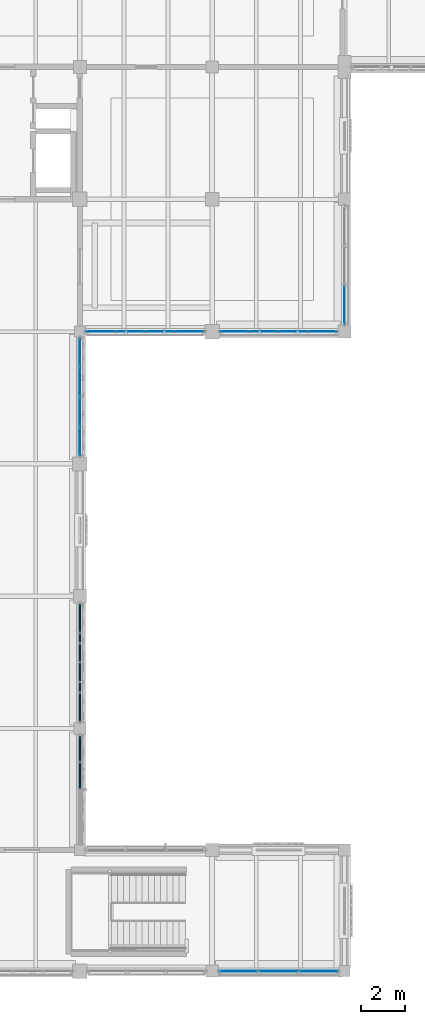
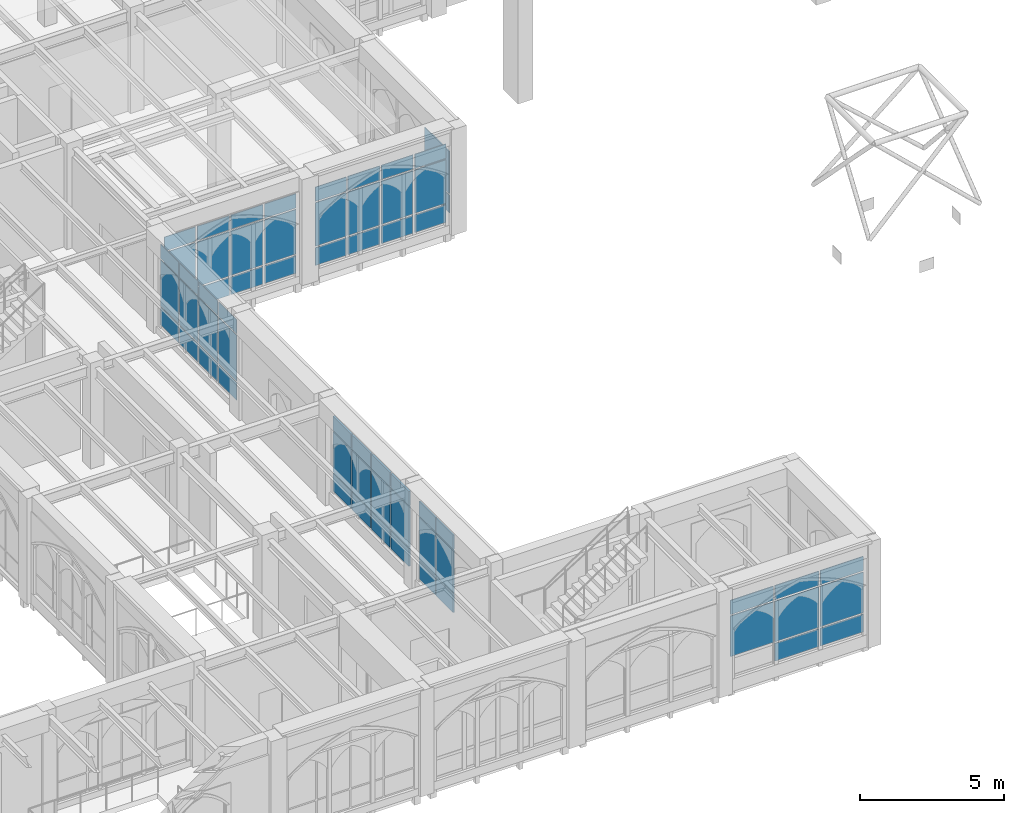
# One storey, part 70 of 127: 64 plates, 7 elements without a shape of their own.
"""IFC4 building model written with IfcOpenShell, lengths in metres."""

import ifcopenshell
import ifcopenshell.guid

model = None  # the IFC model being written
_history = None  # IfcOwnerHistory: only IFC2X3 demands one
_inside = {}  # id of a spatial element -> (the spatial element, [elements in it])
_under = {}  # id of a project, library or spatial element -> (it, [spatial elements below it])
_declared = {}  # id of a project -> (the project, [libraries it declares])
_typed = {}  # id of a type object -> (the type object, [elements of that type])
_made_of = {}  # id of a material, layer set ... -> (it, [elements and type objects made of it])


def new_model(schema):
    """Start an empty IFC model of exactly this schema.

    Asked for "IFC4X3", IfcOpenShell would pick the latest addendum, in which some entities
    have other attributes; the version numbers below select the first issue.
    IFC2X3 requires an IfcOwnerHistory on every rooted entity: one is made here for all.
    """
    global model, _history
    if schema == "IFC4X3":
        model = ifcopenshell.file(schema_version=(4, 3, 0, 0))
    else:
        model = ifcopenshell.file(schema=schema)
    _inside.clear()
    _under.clear()
    _declared.clear()
    _typed.clear()
    _made_of.clear()
    _history = None
    if model.schema == "IFC2X3":
        org = make("IfcOrganization", Name="unknown")
        user = make(
            "IfcPersonAndOrganization",
            ThePerson=make("IfcPerson", FamilyName="unknown"),
            TheOrganization=org,
        )
        app = make(
            "IfcApplication",
            ApplicationDeveloper=org,
            Version="unknown",
            ApplicationFullName="unknown",
            ApplicationIdentifier="unknown",
        )
        _history = make(
            "IfcOwnerHistory",
            OwningUser=user,
            OwningApplication=app,
            ChangeAction="ADDED",
            CreationDate=0,
        )
    return model


def make(cls, **values):
    """One entity of the class cls with the attributes given. An attribute that is None is left unset."""
    return model.create_entity(
        cls, **{name: value for name, value in values.items() if value is not None}
    )


def rooted(cls, **values):
    """An entity with a GlobalId (a new one), such as an element, a storey or a relation."""
    return make(cls, GlobalId=ifcopenshell.guid.new(), OwnerHistory=_history, **values)


def si_unit(unit_type, name, prefix=None):
    """IfcSIUnit, for example si_unit("LENGTHUNIT", "METRE", prefix="MILLI")."""
    return make("IfcSIUnit", UnitType=unit_type, Prefix=prefix, Name=name)


def assignment(units):
    """IfcUnitAssignment: the units of a project."""
    return None if units is None else make("IfcUnitAssignment", Units=units)


def point(xyz):
    """IfcCartesianPoint."""
    return None if xyz is None else make("IfcCartesianPoint", Coordinates=xyz)


def direction(xyz):
    """IfcDirection."""
    return None if xyz is None else make("IfcDirection", DirectionRatios=xyz)


def frame(location, z_axis=None, x_axis=None):
    """IfcAxis2Placement3D, a coordinate frame: its origin and axes. An axis left out is left unset."""
    return make(
        "IfcAxis2Placement3D",
        Location=point(location),
        Axis=direction(z_axis),
        RefDirection=direction(x_axis),
    )


def frame_2d(location, x_axis=None):
    """IfcAxis2Placement2D, a coordinate frame in the plane: its origin and x axis."""
    return make(
        "IfcAxis2Placement2D", Location=point(location), RefDirection=direction(x_axis)
    )


def origin():
    """The frame at (0, 0, 0) with its axes left unset."""
    return frame((0.0, 0.0, 0.0))


def origin_2d():
    """The frame at (0, 0) in the plane with its x axis left unset."""
    return frame_2d((0.0, 0.0))


def place(relative_to, where):
    """IfcLocalPlacement: puts the frame where relative to a parent placement (None: the world)."""
    return make(
        "IfcLocalPlacement", PlacementRelTo=relative_to, RelativePlacement=where
    )


def context(
    kind, dimensions, precision=None, world=None, true_north=None, identifier=None
):
    """IfcGeometricRepresentationContext, for example the 3D "Model" context."""
    return make(
        "IfcGeometricRepresentationContext",
        ContextIdentifier=identifier,
        ContextType=kind,
        CoordinateSpaceDimension=dimensions,
        Precision=precision,
        WorldCoordinateSystem=world,
        TrueNorth=true_north,
    )


def subcontext(parent, identifier, kind, view, scale=None):
    """IfcGeometricRepresentationSubContext, for example "Body" below "Model"."""
    return make(
        "IfcGeometricRepresentationSubContext",
        ContextIdentifier=identifier,
        ContextType=kind,
        ParentContext=parent,
        TargetScale=scale,
        TargetView=view,
    )


def project(units=None, contexts=None):
    """IfcProject with its units and contexts."""
    return rooted(
        "IfcProject",
        Name="project",
        RepresentationContexts=contexts,
        UnitsInContext=assignment(units),
    )


def spatial(cls, under=None, at=None, **own):
    """A site, building, storey or space (cls), placed at a placement, below another one or the project."""
    s = rooted(cls, ObjectPlacement=at, **own)
    if under is not None:
        _under.setdefault(under.id(), (under, []))[1].append(s)
    return s


def profile(cls, at=None, kind="AREA", **sizes):
    """A parametric profile (cls). Its sizes go by their IFC names, for example OverallWidth=200.0."""
    return make(cls, ProfileType=kind, Position=at, **sizes)


def rectangle(**sizes):
    """IfcRectangleProfileDef."""
    return profile("IfcRectangleProfileDef", **sizes)


def extrude(swept, where, along, depth):
    """IfcExtrudedAreaSolid: the profile swept, set in the frame where, extruded along a direction by depth."""
    return make(
        "IfcExtrudedAreaSolid",
        SweptArea=swept,
        Position=where,
        ExtrudedDirection=direction(along),
        Depth=depth,
    )


def shape(context_of_items, identifier, shape_type, items):
    """IfcShapeRepresentation: the items that make up one representation, for example the "Body"."""
    return make(
        "IfcShapeRepresentation",
        ContextOfItems=context_of_items,
        RepresentationIdentifier=identifier,
        RepresentationType=shape_type,
        Items=items,
    )


def material(Name=None, Category=None):
    """IfcMaterial."""
    return make("IfcMaterial", Name=Name, Category=Category)


def layer(
    of_material, thickness, ventilated=None, Name=None, Category=None, Priority=None
):
    """IfcMaterialLayer: one layer of a wall or slab, of a material (None: an air gap)."""
    return make(
        "IfcMaterialLayer",
        Material=of_material,
        LayerThickness=thickness,
        IsVentilated=ventilated,
        Name=Name,
        Category=Category,
        Priority=Priority,
    )


def layer_set(layers, Name=None):
    """IfcMaterialLayerSet."""
    return make("IfcMaterialLayerSet", MaterialLayers=layers, LayerSetName=Name)


def made_of(thing, what):
    """Note that an element or type object is made of a material, layer set ...; save() writes the relation."""
    if what is not None:
        _made_of.setdefault(what.id(), (what, []))[1].append(thing)
    return thing


def type_object(cls, material=None, **own):
    """A type object (cls), such as IfcWallType, which elements share."""
    return made_of(rooted(cls, **own), material)


def element(
    cls,
    number,
    at=None,
    inside=None,
    cuts=None,
    type_object=None,
    material=None,
    context=None,
    identifier="Body",
    shape_type=None,
    held_by="IfcProductDefinitionShape",
    body=None,
    shapes=None,
    **own,
):
    """One element of the class cls, such as IfcWall. Its Tag is "e" and its number.

    at: its placement. inside: the storey or other place that contains it. cuts: it is an
    opening in that element (IfcRelVoidsElement). A single representation is given by context,
    identifier, shape_type and body (its items); several are given by shapes. held_by: the class
    of the entity that holds the representations. save() writes the other relations.
    """
    e = rooted(cls, Tag="e%d" % number, ObjectPlacement=at, **own)
    if body is not None:
        shapes = [shape(context, identifier, shape_type, body)]
    if shapes is not None:
        e.Representation = make(held_by, Representations=shapes)
    if inside is not None:
        _inside.setdefault(inside.id(), (inside, []))[1].append(e)
    if cuts is not None:
        rooted(
            "IfcRelVoidsElement", RelatingBuildingElement=cuts, RelatedOpeningElement=e
        )
    if type_object is not None:
        _typed.setdefault(type_object.id(), (type_object, []))[1].append(e)
    return made_of(e, material)


def aggregate(whole, parts):
    """IfcRelAggregates: a whole, such as a stair, and the parts it consists of."""
    return rooted("IfcRelAggregates", RelatingObject=whole, RelatedObjects=parts)


def save(model, path):
    """Write the relations noted so far, then the file.

    IfcRelAggregates (storeys below a building ...), IfcRelContainedInSpatialStructure (elements
    in a storey), IfcRelDefinesByType, IfcRelAssociatesMaterial and IfcRelDeclares: one each for
    every whole, place, type object, material and project.
    """
    for whole, parts in _under.values():
        aggregate(whole, parts)
    for where, things in _inside.values():
        rooted(
            "IfcRelContainedInSpatialStructure",
            RelatedElements=things,
            RelatingStructure=where,
        )
    for kind, things in _typed.values():
        rooted("IfcRelDefinesByType", RelatedObjects=things, RelatingType=kind)
    for what, things in _made_of.values():
        rooted("IfcRelAssociatesMaterial", RelatedObjects=things, RelatingMaterial=what)
    for by, libraries in _declared.values():
        rooted("IfcRelDeclares", RelatingContext=by, RelatedDefinitions=libraries)
    model.write(path)


model = new_model("IFC4")

# Units and contexts
model_context = context("Model", 3, precision=1e-05, world=origin(), true_north=direction((0.0, 1.0)))
body_context = subcontext(model_context, "Body", "Model", "MODEL_VIEW")
ifc_project = project(units=[si_unit("LENGTHUNIT", "METRE"), si_unit("AREAUNIT", "SQUARE_METRE"), si_unit("VOLUMEUNIT", "CUBIC_METRE"), si_unit("PLANEANGLEUNIT", "RADIAN"), si_unit("MASSUNIT", "GRAM", prefix="KILO")], contexts=[model_context])

# Site, building, storey
site_placement = place(None, origin())
site = spatial("IfcSite", under=ifc_project, at=site_placement, CompositionType="ELEMENT")
building_placement = place(site_placement, origin())
building = spatial("IfcBuilding", under=site, at=building_placement, Name="Cumevento Cable Car Station", CompositionType="ELEMENT")
storey_placement = place(building_placement, frame((0.0, 0.0, 4.5)))
storey = spatial("IfcBuildingStorey", under=building, at=storey_placement, Name="L02", CompositionType="ELEMENT", Elevation=4.5)

# Curtain wall, plates
ifc_material_1 = material(Name="Anodised Bronze Aluminium AW-6063-T6", Category="aluminium")
ifc_layer_1 = layer(ifc_material_1, 0.219970703125)
ifc_layer_set_1 = layer_set([ifc_layer_1], Name="Anodised Bronze Aluminium AW-6063-T6")
curtain_wall_type_1 = type_object("IfcCurtainWallType", Name="Lancet Curtain Wall CW-11 1450", PredefinedType="NOTDEFINED", material=ifc_layer_set_1)
curtain_wall_1_placement = place(storey_placement, origin())
curtain_wall_1 = element("IfcCurtainWall", 1, at=curtain_wall_1_placement, inside=storey, type_object=curtain_wall_type_1, Name="Lancet Curtain Wall CW-11 L02 #42", PredefinedType="NOTDEFINED")
ifc_material_2 = material(Name="Solar Control Laminated Double Glazing", Category="glass")
ifc_layer_2 = layer(ifc_material_2, 0.02197265625)
ifc_layer_set_2 = layer_set([ifc_layer_2], Name="Solar Control Laminated Double Glazing")
plate_type_1 = type_object("IfcPlateType", Name="Glazed Panel CWP-01 22", PredefinedType="CURTAIN_PANEL", material=ifc_layer_set_2)
plate_1_placement = place(storey_placement, frame((70.0, 32.0556640625, 0.324951171875), z_axis=(0.0, 0.0, 1.0), x_axis=(0.0, -1.0, 0.0)))
plate_1 = element("IfcPlate", 2, at=plate_1_placement, type_object=plate_type_1, Name="CW-11 panel 1.1", PredefinedType="CURTAIN_PANEL", context=body_context, shape_type="SweptSolid", body=[
    extrude(rectangle(XDim=1.2587890625, YDim=0.02197265625, at=origin_2d()), origin(), (0.0, 0.0, 1.0), 0.75244140625),
])
plate_2_placement = place(storey_placement, frame((70.0, 32.0556640625, 1.142578125), z_axis=(0.0, 0.0, 1.0), x_axis=(0.0, -1.0, 0.0)))
plate_2 = element("IfcPlate", 3, at=plate_2_placement, type_object=plate_type_1, Name="CW-11 panel 1.2", PredefinedType="CURTAIN_PANEL", context=body_context, shape_type="SweptSolid", body=[
    extrude(rectangle(XDim=1.2587890625, YDim=0.02197265625, at=origin_2d()), origin(), (0.0, 0.0, 1.0), 1.946044921875),
])
plate_3_placement = place(storey_placement, frame((70.0, 32.0556640625, 3.153564453125), z_axis=(0.0, 0.0, 1.0), x_axis=(0.0, -1.0, 0.0)))
plate_3 = element("IfcPlate", 4, at=plate_3_placement, type_object=plate_type_1, Name="CW-11 panel 1.3", PredefinedType="CURTAIN_PANEL", context=body_context, shape_type="SweptSolid", body=[
    extrude(rectangle(XDim=1.2587890625, YDim=0.02197265625, at=origin_2d()), origin(), (0.0, 0.0, 1.0), 0.6025390625),
])
plate_4_placement = place(storey_placement, frame((70.0, 30.715576171875, 0.324951171875), z_axis=(0.0, 0.0, 1.0), x_axis=(0.0, -1.0, 0.0)))
plate_4 = element("IfcPlate", 5, at=plate_4_placement, type_object=plate_type_1, Name="CW-11 panel 2.1", PredefinedType="CURTAIN_PANEL", context=body_context, shape_type="SweptSolid", body=[
    extrude(rectangle(XDim=1.291259765625, YDim=0.02197265625, at=origin_2d()), origin(), (0.0, 0.0, 1.0), 0.75244140625),
])
plate_5_placement = place(storey_placement, frame((70.0, 30.715576171875, 1.142578125), z_axis=(0.0, 0.0, 1.0), x_axis=(0.0, -1.0, 0.0)))
plate_5 = element("IfcPlate", 6, at=plate_5_placement, type_object=plate_type_1, Name="CW-11 panel 2.2", PredefinedType="CURTAIN_PANEL", context=body_context, shape_type="SweptSolid", body=[
    extrude(rectangle(XDim=1.291259765625, YDim=0.02197265625, at=origin_2d()), origin(), (0.0, 0.0, 1.0), 1.946044921875),
])
plate_6_placement = place(storey_placement, frame((70.0, 30.715576171875, 3.153564453125), z_axis=(0.0, 0.0, 1.0), x_axis=(0.0, -1.0, 0.0)))
plate_6 = element("IfcPlate", 7, at=plate_6_placement, type_object=plate_type_1, Name="CW-11 panel 2.3", PredefinedType="CURTAIN_PANEL", context=body_context, shape_type="SweptSolid", body=[
    extrude(rectangle(XDim=1.291259765625, YDim=0.02197265625, at=origin_2d()), origin(), (0.0, 0.0, 1.0), 0.6025390625),
])
plate_7_placement = place(storey_placement, frame((70.0, 29.359375, 0.324951171875), z_axis=(0.0, 0.0, 1.0), x_axis=(0.0, -1.0, 0.0)))
plate_7 = element("IfcPlate", 8, at=plate_7_placement, type_object=plate_type_1, Name="CW-11 panel 3.1", PredefinedType="CURTAIN_PANEL", context=body_context, shape_type="SweptSolid", body=[
    extrude(rectangle(XDim=1.291259765625, YDim=0.02197265625, at=origin_2d()), origin(), (0.0, 0.0, 1.0), 0.75244140625),
])
plate_8_placement = place(storey_placement, frame((70.0, 29.359375, 1.142578125), z_axis=(0.0, 0.0, 1.0), x_axis=(0.0, -1.0, 0.0)))
plate_8 = element("IfcPlate", 9, at=plate_8_placement, type_object=plate_type_1, Name="CW-11 panel 3.2", PredefinedType="CURTAIN_PANEL", context=body_context, shape_type="SweptSolid", body=[
    extrude(rectangle(XDim=1.291259765625, YDim=0.02197265625, at=origin_2d()), origin(), (0.0, 0.0, 1.0), 1.946044921875),
])
plate_9_placement = place(storey_placement, frame((70.0, 29.359375, 3.153564453125), z_axis=(0.0, 0.0, 1.0), x_axis=(0.0, -1.0, 0.0)))
plate_9 = element("IfcPlate", 10, at=plate_9_placement, type_object=plate_type_1, Name="CW-11 panel 3.3", PredefinedType="CURTAIN_PANEL", context=body_context, shape_type="SweptSolid", body=[
    extrude(rectangle(XDim=1.291259765625, YDim=0.02197265625, at=origin_2d()), origin(), (0.0, 0.0, 1.0), 0.6025390625),
])
plate_10_placement = place(storey_placement, frame((70.0, 28.019287109375, 0.324951171875), z_axis=(0.0, 0.0, 1.0), x_axis=(0.0, -1.0, 0.0)))
plate_10 = element("IfcPlate", 11, at=plate_10_placement, type_object=plate_type_1, Name="CW-11 panel 4.1", PredefinedType="CURTAIN_PANEL", context=body_context, shape_type="SweptSolid", body=[
    extrude(rectangle(XDim=1.2587890625, YDim=0.02197265625, at=origin_2d()), origin(), (0.0, 0.0, 1.0), 0.75244140625),
])
plate_11_placement = place(storey_placement, frame((70.0, 28.019287109375, 1.142578125), z_axis=(0.0, 0.0, 1.0), x_axis=(0.0, -1.0, 0.0)))
plate_11 = element("IfcPlate", 12, at=plate_11_placement, type_object=plate_type_1, Name="CW-11 panel 4.2", PredefinedType="CURTAIN_PANEL", context=body_context, shape_type="SweptSolid", body=[
    extrude(rectangle(XDim=1.2587890625, YDim=0.02197265625, at=origin_2d()), origin(), (0.0, 0.0, 1.0), 1.946044921875),
])
plate_12_placement = place(storey_placement, frame((70.0, 28.019287109375, 3.153564453125), z_axis=(0.0, 0.0, 1.0), x_axis=(0.0, -1.0, 0.0)))
plate_12 = element("IfcPlate", 13, at=plate_12_placement, type_object=plate_type_1, Name="CW-11 panel 4.3", PredefinedType="CURTAIN_PANEL", context=body_context, shape_type="SweptSolid", body=[
    extrude(rectangle(XDim=1.2587890625, YDim=0.02197265625, at=origin_2d()), origin(), (0.0, 0.0, 1.0), 0.6025390625),
])
aggregate(curtain_wall_1, [plate_1, plate_2, plate_3, plate_4, plate_5, plate_6, plate_7, plate_8, plate_9, plate_10, plate_11, plate_12])

ifc_material_3 = material(Name="Anodised Bronze Aluminium AW-6063-T6", Category="aluminium")
ifc_layer_3 = layer(ifc_material_3, 0.22607421875)
ifc_layer_set_3 = layer_set([ifc_layer_3], Name="Anodised Bronze Aluminium AW-6063-T6")
curtain_wall_type_2 = type_object("IfcCurtainWallType", Name="Lancet Curtain Wall CW-12 1490", PredefinedType="NOTDEFINED", material=ifc_layer_set_3)
curtain_wall_2_placement = place(storey_placement, origin())
curtain_wall_2 = element("IfcCurtainWall", 14, at=curtain_wall_2_placement, inside=storey, type_object=curtain_wall_type_2, Name="Lancet Curtain Wall CW-12 L02 #43", PredefinedType="NOTDEFINED")
ifc_material_4 = material(Name="Solar Control Laminated Double Glazing", Category="glass")
ifc_layer_4 = layer(ifc_material_4, 0.02587890625)
ifc_layer_set_4 = layer_set([ifc_layer_4], Name="Solar Control Laminated Double Glazing")
plate_type_2 = type_object("IfcPlateType", Name="Glazed Panel CWP-02 26", PredefinedType="CURTAIN_PANEL", material=ifc_layer_set_4)
plate_13_placement = place(storey_placement, frame((74.980712890625, 33.0, 0.375), z_axis=(0.0, 0.0, 1.0), x_axis=(-1.0, 0.0, 0.0)))
plate_13 = element("IfcPlate", 15, at=plate_13_placement, type_object=plate_type_2, Name="CW-12 panel 1.1", PredefinedType="CURTAIN_PANEL", context=body_context, shape_type="SweptSolid", body=[
    extrude(rectangle(XDim=1.2587890625, YDim=0.02587890625, at=origin_2d()), origin(), (0.0, 0.0, 1.0), 0.75244140625),
])
plate_14_placement = place(storey_placement, frame((74.980712890625, 33.0, 1.1923828125), z_axis=(0.0, 0.0, 1.0), x_axis=(-1.0, 0.0, 0.0)))
plate_14 = element("IfcPlate", 16, at=plate_14_placement, type_object=plate_type_2, Name="CW-12 panel 1.2", PredefinedType="CURTAIN_PANEL", context=body_context, shape_type="SweptSolid", body=[
    extrude(rectangle(XDim=1.2587890625, YDim=0.02587890625, at=origin_2d()), origin(), (0.0, 0.0, 1.0), 1.89599609375),
])
plate_15_placement = place(storey_placement, frame((74.980712890625, 33.0, 3.153564453125), z_axis=(0.0, 0.0, 1.0), x_axis=(-1.0, 0.0, 0.0)))
plate_15 = element("IfcPlate", 17, at=plate_15_placement, type_object=plate_type_2, Name="CW-12 panel 1.3", PredefinedType="CURTAIN_PANEL", context=body_context, shape_type="SweptSolid", body=[
    extrude(rectangle(XDim=1.2587890625, YDim=0.02587890625, at=origin_2d()), origin(), (0.0, 0.0, 1.0), 0.6025390625),
])
plate_16_placement = place(storey_placement, frame((73.640625, 33.0, 0.375), z_axis=(0.0, 0.0, 1.0), x_axis=(-1.0, 0.0, 0.0)))
plate_16 = element("IfcPlate", 18, at=plate_16_placement, type_object=plate_type_2, Name="CW-12 panel 2.1", PredefinedType="CURTAIN_PANEL", context=body_context, shape_type="SweptSolid", body=[
    extrude(rectangle(XDim=1.291259765625, YDim=0.02587890625, at=origin_2d()), origin(), (0.0, 0.0, 1.0), 0.75244140625),
])
plate_17_placement = place(storey_placement, frame((73.640625, 33.0, 1.1923828125), z_axis=(0.0, 0.0, 1.0), x_axis=(-1.0, 0.0, 0.0)))
plate_17 = element("IfcPlate", 19, at=plate_17_placement, type_object=plate_type_2, Name="CW-12 panel 2.2", PredefinedType="CURTAIN_PANEL", context=body_context, shape_type="SweptSolid", body=[
    extrude(rectangle(XDim=1.291259765625, YDim=0.02587890625, at=origin_2d()), origin(), (0.0, 0.0, 1.0), 1.89599609375),
])
plate_18_placement = place(storey_placement, frame((73.640625, 33.0, 3.153564453125), z_axis=(0.0, 0.0, 1.0), x_axis=(-1.0, 0.0, 0.0)))
plate_18 = element("IfcPlate", 20, at=plate_18_placement, type_object=plate_type_2, Name="CW-12 panel 2.3", PredefinedType="CURTAIN_PANEL", context=body_context, shape_type="SweptSolid", body=[
    extrude(rectangle(XDim=1.291259765625, YDim=0.02587890625, at=origin_2d()), origin(), (0.0, 0.0, 1.0), 0.6025390625),
])
plate_19_placement = place(storey_placement, frame((72.284423828125, 33.0, 0.375), z_axis=(0.0, 0.0, 1.0), x_axis=(-1.0, 0.0, 0.0)))
plate_19 = element("IfcPlate", 21, at=plate_19_placement, type_object=plate_type_2, Name="CW-12 panel 3.1", PredefinedType="CURTAIN_PANEL", context=body_context, shape_type="SweptSolid", body=[
    extrude(rectangle(XDim=1.291259765625, YDim=0.02587890625, at=origin_2d()), origin(), (0.0, 0.0, 1.0), 0.75244140625),
])
plate_20_placement = place(storey_placement, frame((72.284423828125, 33.0, 1.1923828125), z_axis=(0.0, 0.0, 1.0), x_axis=(-1.0, 0.0, 0.0)))
plate_20 = element("IfcPlate", 22, at=plate_20_placement, type_object=plate_type_2, Name="CW-12 panel 3.2", PredefinedType="CURTAIN_PANEL", context=body_context, shape_type="SweptSolid", body=[
    extrude(rectangle(XDim=1.291259765625, YDim=0.02587890625, at=origin_2d()), origin(), (0.0, 0.0, 1.0), 1.89599609375),
])
plate_21_placement = place(storey_placement, frame((72.284423828125, 33.0, 3.153564453125), z_axis=(0.0, 0.0, 1.0), x_axis=(-1.0, 0.0, 0.0)))
plate_21 = element("IfcPlate", 23, at=plate_21_placement, type_object=plate_type_2, Name="CW-12 panel 3.3", PredefinedType="CURTAIN_PANEL", context=body_context, shape_type="SweptSolid", body=[
    extrude(rectangle(XDim=1.291259765625, YDim=0.02587890625, at=origin_2d()), origin(), (0.0, 0.0, 1.0), 0.6025390625),
])
plate_22_placement = place(storey_placement, frame((70.9443359375, 33.0, 0.375), z_axis=(0.0, 0.0, 1.0), x_axis=(-1.0, 0.0, 0.0)))
plate_22 = element("IfcPlate", 24, at=plate_22_placement, type_object=plate_type_2, Name="CW-12 panel 4.1", PredefinedType="CURTAIN_PANEL", context=body_context, shape_type="SweptSolid", body=[
    extrude(rectangle(XDim=1.2587890625, YDim=0.02587890625, at=origin_2d()), origin(), (0.0, 0.0, 1.0), 0.75244140625),
])
plate_23_placement = place(storey_placement, frame((70.9443359375, 33.0, 1.1923828125), z_axis=(0.0, 0.0, 1.0), x_axis=(-1.0, 0.0, 0.0)))
plate_23 = element("IfcPlate", 25, at=plate_23_placement, type_object=plate_type_2, Name="CW-12 panel 4.2", PredefinedType="CURTAIN_PANEL", context=body_context, shape_type="SweptSolid", body=[
    extrude(rectangle(XDim=1.2587890625, YDim=0.02587890625, at=origin_2d()), origin(), (0.0, 0.0, 1.0), 1.89599609375),
])
plate_24_placement = place(storey_placement, frame((70.9443359375, 33.0, 3.153564453125), z_axis=(0.0, 0.0, 1.0), x_axis=(-1.0, 0.0, 0.0)))
plate_24 = element("IfcPlate", 26, at=plate_24_placement, type_object=plate_type_2, Name="CW-12 panel 4.3", PredefinedType="CURTAIN_PANEL", context=body_context, shape_type="SweptSolid", body=[
    extrude(rectangle(XDim=1.2587890625, YDim=0.02587890625, at=origin_2d()), origin(), (0.0, 0.0, 1.0), 0.6025390625),
])
aggregate(curtain_wall_2, [plate_13, plate_14, plate_15, plate_16, plate_17, plate_18, plate_19, plate_20, plate_21, plate_22, plate_23, plate_24])

ifc_material_5 = material(Name="Anodised Bronze Aluminium AW-6063-T6", Category="aluminium")
ifc_layer_5 = layer(ifc_material_5, 0.23193359375)
ifc_layer_set_5 = layer_set([ifc_layer_5], Name="Anodised Bronze Aluminium AW-6063-T6")
curtain_wall_type_3 = type_object("IfcCurtainWallType", Name="Lancet Curtain Wall CW-13 1530", PredefinedType="NOTDEFINED", material=ifc_layer_set_5)
curtain_wall_3_placement = place(storey_placement, origin())
curtain_wall_3 = element("IfcCurtainWall", 27, at=curtain_wall_3_placement, inside=storey, type_object=curtain_wall_type_3, Name="Lancet Curtain Wall CW-13 L02 #44", PredefinedType="NOTDEFINED")
ifc_material_6 = material(Name="Solar Control Laminated Double Glazing", Category="glass")
ifc_layer_6 = layer(ifc_material_6, 0.030029296875)
ifc_layer_set_6 = layer_set([ifc_layer_6], Name="Solar Control Laminated Double Glazing")
plate_type_3 = type_object("IfcPlateType", Name="Glazed Panel CWP-03 30", PredefinedType="CURTAIN_PANEL", material=ifc_layer_set_6)
plate_25_placement = place(storey_placement, frame((81.011962890625, 33.0, 0.425048828125), z_axis=(0.0, 0.0, 1.0), x_axis=(-1.0, 0.0, 0.0)))
plate_25 = element("IfcPlate", 28, at=plate_25_placement, type_object=plate_type_3, Name="CW-13 panel 1.1", PredefinedType="CURTAIN_PANEL", context=body_context, shape_type="SweptSolid", body=[
    extrude(rectangle(XDim=1.246337890625, YDim=0.030029296875, at=origin_2d()), origin(), (0.0, 0.0, 1.0), 0.75244140625),
])
plate_26_placement = place(storey_placement, frame((81.011962890625, 33.0, 1.24267578125), z_axis=(0.0, 0.0, 1.0), x_axis=(-1.0, 0.0, 0.0)))
plate_26 = element("IfcPlate", 29, at=plate_26_placement, type_object=plate_type_3, Name="CW-13 panel 1.2", PredefinedType="CURTAIN_PANEL", context=body_context, shape_type="SweptSolid", body=[
    extrude(rectangle(XDim=1.246337890625, YDim=0.030029296875, at=origin_2d()), origin(), (0.0, 0.0, 1.0), 1.845947265625),
])
plate_27_placement = place(storey_placement, frame((81.011962890625, 33.0, 3.153564453125), z_axis=(0.0, 0.0, 1.0), x_axis=(-1.0, 0.0, 0.0)))
plate_27 = element("IfcPlate", 30, at=plate_27_placement, type_object=plate_type_3, Name="CW-13 panel 1.3", PredefinedType="CURTAIN_PANEL", context=body_context, shape_type="SweptSolid", body=[
    extrude(rectangle(XDim=1.246337890625, YDim=0.030029296875, at=origin_2d()), origin(), (0.0, 0.0, 1.0), 0.6025390625),
])
plate_28_placement = place(storey_placement, frame((79.684326171875, 33.0, 0.425048828125), z_axis=(0.0, 0.0, 1.0), x_axis=(-1.0, 0.0, 0.0)))
plate_28 = element("IfcPlate", 31, at=plate_28_placement, type_object=plate_type_3, Name="CW-13 panel 2.1", PredefinedType="CURTAIN_PANEL", context=body_context, shape_type="SweptSolid", body=[
    extrude(rectangle(XDim=1.27880859375, YDim=0.030029296875, at=origin_2d()), origin(), (0.0, 0.0, 1.0), 0.75244140625),
])
plate_29_placement = place(storey_placement, frame((79.684326171875, 33.0, 1.24267578125), z_axis=(0.0, 0.0, 1.0), x_axis=(-1.0, 0.0, 0.0)))
plate_29 = element("IfcPlate", 32, at=plate_29_placement, type_object=plate_type_3, Name="CW-13 panel 2.2", PredefinedType="CURTAIN_PANEL", context=body_context, shape_type="SweptSolid", body=[
    extrude(rectangle(XDim=1.27880859375, YDim=0.030029296875, at=origin_2d()), origin(), (0.0, 0.0, 1.0), 1.845947265625),
])
plate_30_placement = place(storey_placement, frame((79.684326171875, 33.0, 3.153564453125), z_axis=(0.0, 0.0, 1.0), x_axis=(-1.0, 0.0, 0.0)))
plate_30 = element("IfcPlate", 33, at=plate_30_placement, type_object=plate_type_3, Name="CW-13 panel 2.3", PredefinedType="CURTAIN_PANEL", context=body_context, shape_type="SweptSolid", body=[
    extrude(rectangle(XDim=1.27880859375, YDim=0.030029296875, at=origin_2d()), origin(), (0.0, 0.0, 1.0), 0.6025390625),
])
plate_31_placement = place(storey_placement, frame((78.340576171875, 33.0, 0.425048828125), z_axis=(0.0, 0.0, 1.0), x_axis=(-1.0, 0.0, 0.0)))
plate_31 = element("IfcPlate", 34, at=plate_31_placement, type_object=plate_type_3, Name="CW-13 panel 3.1", PredefinedType="CURTAIN_PANEL", context=body_context, shape_type="SweptSolid", body=[
    extrude(rectangle(XDim=1.27880859375, YDim=0.030029296875, at=origin_2d()), origin(), (0.0, 0.0, 1.0), 0.75244140625),
])
plate_32_placement = place(storey_placement, frame((78.340576171875, 33.0, 1.24267578125), z_axis=(0.0, 0.0, 1.0), x_axis=(-1.0, 0.0, 0.0)))
plate_32 = element("IfcPlate", 35, at=plate_32_placement, type_object=plate_type_3, Name="CW-13 panel 3.2", PredefinedType="CURTAIN_PANEL", context=body_context, shape_type="SweptSolid", body=[
    extrude(rectangle(XDim=1.27880859375, YDim=0.030029296875, at=origin_2d()), origin(), (0.0, 0.0, 1.0), 1.845947265625),
])
plate_33_placement = place(storey_placement, frame((78.340576171875, 33.0, 3.153564453125), z_axis=(0.0, 0.0, 1.0), x_axis=(-1.0, 0.0, 0.0)))
plate_33 = element("IfcPlate", 36, at=plate_33_placement, type_object=plate_type_3, Name="CW-13 panel 3.3", PredefinedType="CURTAIN_PANEL", context=body_context, shape_type="SweptSolid", body=[
    extrude(rectangle(XDim=1.27880859375, YDim=0.030029296875, at=origin_2d()), origin(), (0.0, 0.0, 1.0), 0.6025390625),
])
plate_34_placement = place(storey_placement, frame((77.01318359375, 33.0, 0.425048828125), z_axis=(0.0, 0.0, 1.0), x_axis=(-1.0, 0.0, 0.0)))
plate_34 = element("IfcPlate", 37, at=plate_34_placement, type_object=plate_type_3, Name="CW-13 panel 4.1", PredefinedType="CURTAIN_PANEL", context=body_context, shape_type="SweptSolid", body=[
    extrude(rectangle(XDim=1.246337890625, YDim=0.030029296875, at=origin_2d()), origin(), (0.0, 0.0, 1.0), 0.75244140625),
])
plate_35_placement = place(storey_placement, frame((77.01318359375, 33.0, 1.24267578125), z_axis=(0.0, 0.0, 1.0), x_axis=(-1.0, 0.0, 0.0)))
plate_35 = element("IfcPlate", 38, at=plate_35_placement, type_object=plate_type_3, Name="CW-13 panel 4.2", PredefinedType="CURTAIN_PANEL", context=body_context, shape_type="SweptSolid", body=[
    extrude(rectangle(XDim=1.246337890625, YDim=0.030029296875, at=origin_2d()), origin(), (0.0, 0.0, 1.0), 1.845947265625),
])
plate_36_placement = place(storey_placement, frame((77.01318359375, 33.0, 3.153564453125), z_axis=(0.0, 0.0, 1.0), x_axis=(-1.0, 0.0, 0.0)))
plate_36 = element("IfcPlate", 39, at=plate_36_placement, type_object=plate_type_3, Name="CW-13 panel 4.3", PredefinedType="CURTAIN_PANEL", context=body_context, shape_type="SweptSolid", body=[
    extrude(rectangle(XDim=1.246337890625, YDim=0.030029296875, at=origin_2d()), origin(), (0.0, 0.0, 1.0), 0.6025390625),
])
aggregate(curtain_wall_3, [plate_25, plate_26, plate_27, plate_28, plate_29, plate_30, plate_31, plate_32, plate_33, plate_34, plate_35, plate_36])

ifc_material_7 = material(Name="Anodised Bronze Aluminium AW-6063-T6", Category="aluminium")
ifc_layer_7 = layer(ifc_material_7, 0.25)
ifc_layer_set_7 = layer_set([ifc_layer_7], Name="Anodised Bronze Aluminium AW-6063-T6")
curtain_wall_type_4 = type_object("IfcCurtainWallType", Name="Lancet Curtain Wall CW-16 1650", PredefinedType="NOTDEFINED", material=ifc_layer_set_7)
curtain_wall_4_placement = place(storey_placement, origin())
curtain_wall_4 = element("IfcCurtainWall", 40, at=curtain_wall_4_placement, inside=storey, type_object=curtain_wall_type_4, Name="Lancet Curtain Wall CW-16 L02 #31", PredefinedType="NOTDEFINED")
ifc_material_8 = material(Name="Solar Control Laminated Double Glazing", Category="glass")
ifc_layer_8 = layer(ifc_material_8, 0.033935546875)
ifc_layer_set_8 = layer_set([ifc_layer_8], Name="Solar Control Laminated Double Glazing")
plate_type_4 = type_object("IfcPlateType", Name="Glazed Panel CWP-04 34", PredefinedType="CURTAIN_PANEL", material=ifc_layer_set_8)
plate_37_placement = place(storey_placement, frame((80.8212890625, 4.0, 0.5849609375), z_axis=(0.0, 0.0, 1.0), x_axis=(-1.0, 0.0, 0.0)))
plate_37 = element("IfcPlate", 41, at=plate_37_placement, type_object=plate_type_4, Name="CW-16 panel 1.1", PredefinedType="CURTAIN_PANEL", context=body_context, shape_type="SweptSolid", body=[
    extrude(rectangle(XDim=1.7275390625, YDim=0.033935546875, at=origin_2d()), origin(), (0.0, 0.0, 1.0), 0.75244140625),
])
plate_38_placement = place(storey_placement, frame((80.8212890625, 4.0, 1.40234375), z_axis=(0.0, 0.0, 1.0), x_axis=(-1.0, 0.0, 0.0)))
plate_38 = element("IfcPlate", 42, at=plate_38_placement, type_object=plate_type_4, Name="CW-16 panel 1.2", PredefinedType="CURTAIN_PANEL", context=body_context, shape_type="SweptSolid", body=[
    extrude(rectangle(XDim=1.7275390625, YDim=0.033935546875, at=origin_2d()), origin(), (0.0, 0.0, 1.0), 1.721923828125),
])
plate_39_placement = place(storey_placement, frame((80.8212890625, 4.0, 3.189453125), z_axis=(0.0, 0.0, 1.0), x_axis=(-1.0, 0.0, 0.0)))
plate_39 = element("IfcPlate", 43, at=plate_39_placement, type_object=plate_type_4, Name="CW-16 panel 1.3", PredefinedType="CURTAIN_PANEL", context=body_context, shape_type="SweptSolid", body=[
    extrude(rectangle(XDim=1.7275390625, YDim=0.033935546875, at=origin_2d()), origin(), (0.0, 0.0, 1.0), 0.6025390625),
])
plate_40_placement = place(storey_placement, frame((79.012451171875, 4.0, 0.5849609375), z_axis=(0.0, 0.0, 1.0), x_axis=(-1.0, 0.0, 0.0)))
plate_40 = element("IfcPlate", 44, at=plate_40_placement, type_object=plate_type_4, Name="CW-16 panel 2.1", PredefinedType="CURTAIN_PANEL", context=body_context, shape_type="SweptSolid", body=[
    extrude(rectangle(XDim=1.760009765625, YDim=0.033935546875, at=origin_2d()), origin(), (0.0, 0.0, 1.0), 0.75244140625),
])
plate_41_placement = place(storey_placement, frame((79.012451171875, 4.0, 1.40234375), z_axis=(0.0, 0.0, 1.0), x_axis=(-1.0, 0.0, 0.0)))
plate_41 = element("IfcPlate", 45, at=plate_41_placement, type_object=plate_type_4, Name="CW-16 panel 2.2", PredefinedType="CURTAIN_PANEL", context=body_context, shape_type="SweptSolid", body=[
    extrude(rectangle(XDim=1.760009765625, YDim=0.033935546875, at=origin_2d()), origin(), (0.0, 0.0, 1.0), 1.721923828125),
])
plate_42_placement = place(storey_placement, frame((79.012451171875, 4.0, 3.189453125), z_axis=(0.0, 0.0, 1.0), x_axis=(-1.0, 0.0, 0.0)))
plate_42 = element("IfcPlate", 46, at=plate_42_placement, type_object=plate_type_4, Name="CW-16 panel 2.3", PredefinedType="CURTAIN_PANEL", context=body_context, shape_type="SweptSolid", body=[
    extrude(rectangle(XDim=1.760009765625, YDim=0.033935546875, at=origin_2d()), origin(), (0.0, 0.0, 1.0), 0.6025390625),
])
plate_43_placement = place(storey_placement, frame((77.203857421875, 4.0, 1.40234375), z_axis=(0.0, 0.0, 1.0), x_axis=(-1.0, 0.0, 0.0)))
plate_43 = element("IfcPlate", 47, at=plate_43_placement, type_object=plate_type_4, Name="CW-16 panel 3.2", PredefinedType="CURTAIN_PANEL", context=body_context, shape_type="SweptSolid", body=[
    extrude(rectangle(XDim=1.7275390625, YDim=0.033935546875, at=origin_2d()), origin(), (0.0, 0.0, 1.0), 1.721923828125),
])
plate_44_placement = place(storey_placement, frame((77.203857421875, 4.0, 3.189453125), z_axis=(0.0, 0.0, 1.0), x_axis=(-1.0, 0.0, 0.0)))
plate_44 = element("IfcPlate", 48, at=plate_44_placement, type_object=plate_type_4, Name="CW-16 panel 3.3", PredefinedType="CURTAIN_PANEL", context=body_context, shape_type="SweptSolid", body=[
    extrude(rectangle(XDim=1.7275390625, YDim=0.033935546875, at=origin_2d()), origin(), (0.0, 0.0, 1.0), 0.6025390625),
])
aggregate(curtain_wall_4, [plate_37, plate_38, plate_39, plate_40, plate_41, plate_42, plate_43, plate_44])

ifc_material_9 = material(Name="Anodised Bronze Aluminium AW-6063-T6", Category="aluminium")
ifc_layer_9 = layer(ifc_material_9, 0.238037109375)
ifc_layer_set_9 = layer_set([ifc_layer_9], Name="Anodised Bronze Aluminium AW-6063-T6")
curtain_wall_type_5 = type_object("IfcCurtainWallType", Name="Lancet Curtain Wall CW-14 1570", PredefinedType="NOTDEFINED", material=ifc_layer_set_9)
curtain_wall_5_placement = place(storey_placement, origin())
curtain_wall_5 = element("IfcCurtainWall", 49, at=curtain_wall_5_placement, inside=storey, type_object=curtain_wall_type_5, Name="Lancet Curtain Wall CW-14 L02 #45", PredefinedType="NOTDEFINED")
plate_45_placement = place(storey_placement, frame((82.0, 34.220458984375, 0.47509765625), z_axis=(0.0, 0.0, 1.0), x_axis=(0.0, -1.0, 0.0)))
plate_45 = element("IfcPlate", 50, at=plate_45_placement, type_object=plate_type_4, Name="CW-14 panel 3.1", PredefinedType="CURTAIN_PANEL", context=body_context, shape_type="SweptSolid", body=[
    extrude(rectangle(XDim=1.7109375, YDim=0.033935546875, at=origin_2d()), origin(), (0.0, 0.0, 1.0), 0.75244140625),
])
plate_46_placement = place(storey_placement, frame((82.0, 34.220458984375, 1.29248046875), z_axis=(0.0, 0.0, 1.0), x_axis=(0.0, -1.0, 0.0)))
plate_46 = element("IfcPlate", 51, at=plate_46_placement, type_object=plate_type_4, Name="CW-14 panel 3.2", PredefinedType="CURTAIN_PANEL", context=body_context, shape_type="SweptSolid", body=[
    extrude(rectangle(XDim=1.7109375, YDim=0.033935546875, at=origin_2d()), origin(), (0.0, 0.0, 1.0), 1.7958984375),
])
aggregate(curtain_wall_5, [plate_45, plate_46])

ifc_material_10 = material(Name="Anodised Bronze Aluminium AW-6063-T6", Category="aluminium")
ifc_layer_10 = layer(ifc_material_10, 0.18994140625)
ifc_layer_set_10 = layer_set([ifc_layer_10], Name="Anodised Bronze Aluminium AW-6063-T6")
curtain_wall_type_6 = type_object("IfcCurtainWallType", Name="Lancet Curtain Wall CW-06 1250", PredefinedType="NOTDEFINED", material=ifc_layer_set_10)
curtain_wall_6_placement = place(storey_placement, origin())
curtain_wall_6 = element("IfcCurtainWall", 52, at=curtain_wall_6_placement, inside=storey, type_object=curtain_wall_type_6, Name="Lancet Curtain Wall CW-06 L02 #37", PredefinedType="NOTDEFINED")
ifc_material_11 = material(Name="Insulated Bronze Aluminium Spandrel Panel", Category="aluminium")
ifc_layer_11 = layer(ifc_material_11, 0.06005859375)
ifc_layer_set_11 = layer_set([ifc_layer_11], Name="Insulated Bronze Aluminium Spandrel Panel")
plate_type_5 = type_object("IfcPlateType", Name="Spandrel Panel CWP-10 60", PredefinedType="CURTAIN_PANEL", material=ifc_layer_set_11)
plate_47_placement = place(storey_placement, frame((70.0, 14.0869140625, 0.47509765625), z_axis=(0.0, 0.0, 1.0), x_axis=(0.0, -1.0, 0.0)))
plate_47 = element("IfcPlate", 53, at=plate_47_placement, type_object=plate_type_5, Name="CW-06 panel 1.1", PredefinedType="CURTAIN_PANEL", context=body_context, shape_type="SweptSolid", body=[
    extrude(rectangle(XDim=1.146240234375, YDim=0.06005859375, at=origin_2d()), origin(), (0.0, 0.0, 1.0), 0.75244140625),
])
plate_48_placement = place(storey_placement, frame((70.0, 14.0869140625, 1.29248046875), z_axis=(0.0, 0.0, 1.0), x_axis=(0.0, -1.0, 0.0)))
plate_48 = element("IfcPlate", 54, at=plate_48_placement, type_object=plate_type_5, Name="CW-06 panel 1.2", PredefinedType="CURTAIN_PANEL", context=body_context, shape_type="SweptSolid", body=[
    extrude(rectangle(XDim=1.146240234375, YDim=0.06005859375, at=origin_2d()), origin(), (0.0, 0.0, 1.0), 1.80810546875),
])
plate_49_placement = place(storey_placement, frame((70.0, 14.0869140625, 3.16552734375), z_axis=(0.0, 0.0, 1.0), x_axis=(0.0, -1.0, 0.0)))
plate_49 = element("IfcPlate", 55, at=plate_49_placement, type_object=plate_type_5, Name="CW-06 panel 1.3", PredefinedType="CURTAIN_PANEL", context=body_context, shape_type="SweptSolid", body=[
    extrude(rectangle(XDim=1.146240234375, YDim=0.06005859375, at=origin_2d()), origin(), (0.0, 0.0, 1.0), 0.6025390625),
])
plate_50_placement = place(storey_placement, frame((70.0, 12.859375, 0.47509765625), z_axis=(0.0, 0.0, 1.0), x_axis=(0.0, -1.0, 0.0)))
plate_50 = element("IfcPlate", 56, at=plate_50_placement, type_object=plate_type_5, Name="CW-06 panel 2.1", PredefinedType="CURTAIN_PANEL", context=body_context, shape_type="SweptSolid", body=[
    extrude(rectangle(XDim=1.1787109375, YDim=0.06005859375, at=origin_2d()), origin(), (0.0, 0.0, 1.0), 0.75244140625),
])
plate_51_placement = place(storey_placement, frame((70.0, 12.859375, 1.29248046875), z_axis=(0.0, 0.0, 1.0), x_axis=(0.0, -1.0, 0.0)))
plate_51 = element("IfcPlate", 57, at=plate_51_placement, type_object=plate_type_5, Name="CW-06 panel 2.2", PredefinedType="CURTAIN_PANEL", context=body_context, shape_type="SweptSolid", body=[
    extrude(rectangle(XDim=1.1787109375, YDim=0.06005859375, at=origin_2d()), origin(), (0.0, 0.0, 1.0), 1.80810546875),
])
plate_52_placement = place(storey_placement, frame((70.0, 12.859375, 3.16552734375), z_axis=(0.0, 0.0, 1.0), x_axis=(0.0, -1.0, 0.0)))
plate_52 = element("IfcPlate", 58, at=plate_52_placement, type_object=plate_type_5, Name="CW-06 panel 2.3", PredefinedType="CURTAIN_PANEL", context=body_context, shape_type="SweptSolid", body=[
    extrude(rectangle(XDim=1.1787109375, YDim=0.06005859375, at=origin_2d()), origin(), (0.0, 0.0, 1.0), 0.6025390625),
])
aggregate(curtain_wall_6, [plate_47, plate_48, plate_49, plate_50, plate_51, plate_52])

ifc_material_12 = material(Name="Anodised Bronze Aluminium AW-6063-T6", Category="aluminium")
ifc_layer_12 = layer(ifc_material_12, 0.201904296875)
ifc_layer_set_12 = layer_set([ifc_layer_12], Name="Anodised Bronze Aluminium AW-6063-T6")
curtain_wall_type_7 = type_object("IfcCurtainWallType", Name="Lancet Curtain Wall CW-08 1330", PredefinedType="NOTDEFINED", material=ifc_layer_set_12)
curtain_wall_7_placement = place(storey_placement, origin())
curtain_wall_7 = element("IfcCurtainWall", 59, at=curtain_wall_7_placement, inside=storey, type_object=curtain_wall_type_7, Name="Lancet Curtain Wall CW-08 L02 #39", PredefinedType="NOTDEFINED")
ifc_material_13 = material(Name="Insulated Bronze Aluminium Spandrel Panel", Category="aluminium")
ifc_layer_13 = layer(ifc_material_13, 0.072021484375)
ifc_layer_set_13 = layer_set([ifc_layer_13], Name="Insulated Bronze Aluminium Spandrel Panel")
plate_type_6 = type_object("IfcPlateType", Name="Spandrel Panel CWP-12 72", PredefinedType="CURTAIN_PANEL", material=ifc_layer_set_13)
plate_53_placement = place(storey_placement, frame((70.0, 20.005615234375, 0.5849609375), z_axis=(0.0, 0.0, 1.0), x_axis=(0.0, -1.0, 0.0)))
plate_53 = element("IfcPlate", 60, at=plate_53_placement, type_object=plate_type_6, Name="CW-08 panel 1.1", PredefinedType="CURTAIN_PANEL", context=body_context, shape_type="SweptSolid", body=[
    extrude(rectangle(XDim=1.2587890625, YDim=0.072021484375, at=origin_2d()), origin(), (0.0, 0.0, 1.0), 0.75244140625),
])
plate_54_placement = place(storey_placement, frame((70.0, 20.005615234375, 1.40234375), z_axis=(0.0, 0.0, 1.0), x_axis=(0.0, -1.0, 0.0)))
plate_54 = element("IfcPlate", 61, at=plate_54_placement, type_object=plate_type_6, Name="CW-08 panel 1.2", PredefinedType="CURTAIN_PANEL", context=body_context, shape_type="SweptSolid", body=[
    extrude(rectangle(XDim=1.2587890625, YDim=0.072021484375, at=origin_2d()), origin(), (0.0, 0.0, 1.0), 1.697998046875),
])
plate_55_placement = place(storey_placement, frame((70.0, 20.005615234375, 3.16552734375), z_axis=(0.0, 0.0, 1.0), x_axis=(0.0, -1.0, 0.0)))
plate_55 = element("IfcPlate", 62, at=plate_55_placement, type_object=plate_type_6, Name="CW-08 panel 1.3", PredefinedType="CURTAIN_PANEL", context=body_context, shape_type="SweptSolid", body=[
    extrude(rectangle(XDim=1.2587890625, YDim=0.072021484375, at=origin_2d()), origin(), (0.0, 0.0, 1.0), 0.6025390625),
])
plate_56_placement = place(storey_placement, frame((70.0, 18.66552734375, 0.5849609375), z_axis=(0.0, 0.0, 1.0), x_axis=(0.0, -1.0, 0.0)))
plate_56 = element("IfcPlate", 63, at=plate_56_placement, type_object=plate_type_6, Name="CW-08 panel 2.1", PredefinedType="CURTAIN_PANEL", context=body_context, shape_type="SweptSolid", body=[
    extrude(rectangle(XDim=1.291259765625, YDim=0.072021484375, at=origin_2d()), origin(), (0.0, 0.0, 1.0), 0.75244140625),
])
plate_57_placement = place(storey_placement, frame((70.0, 18.66552734375, 1.40234375), z_axis=(0.0, 0.0, 1.0), x_axis=(0.0, -1.0, 0.0)))
plate_57 = element("IfcPlate", 64, at=plate_57_placement, type_object=plate_type_6, Name="CW-08 panel 2.2", PredefinedType="CURTAIN_PANEL", context=body_context, shape_type="SweptSolid", body=[
    extrude(rectangle(XDim=1.291259765625, YDim=0.072021484375, at=origin_2d()), origin(), (0.0, 0.0, 1.0), 1.697998046875),
])
plate_58_placement = place(storey_placement, frame((70.0, 18.66552734375, 3.16552734375), z_axis=(0.0, 0.0, 1.0), x_axis=(0.0, -1.0, 0.0)))
plate_58 = element("IfcPlate", 65, at=plate_58_placement, type_object=plate_type_6, Name="CW-08 panel 2.3", PredefinedType="CURTAIN_PANEL", context=body_context, shape_type="SweptSolid", body=[
    extrude(rectangle(XDim=1.291259765625, YDim=0.072021484375, at=origin_2d()), origin(), (0.0, 0.0, 1.0), 0.6025390625),
])
plate_59_placement = place(storey_placement, frame((70.0, 17.309326171875, 0.5849609375), z_axis=(0.0, 0.0, 1.0), x_axis=(0.0, -1.0, 0.0)))
plate_59 = element("IfcPlate", 66, at=plate_59_placement, type_object=plate_type_6, Name="CW-08 panel 3.1", PredefinedType="CURTAIN_PANEL", context=body_context, shape_type="SweptSolid", body=[
    extrude(rectangle(XDim=1.291259765625, YDim=0.072021484375, at=origin_2d()), origin(), (0.0, 0.0, 1.0), 0.75244140625),
])
plate_60_placement = place(storey_placement, frame((70.0, 17.309326171875, 1.40234375), z_axis=(0.0, 0.0, 1.0), x_axis=(0.0, -1.0, 0.0)))
plate_60 = element("IfcPlate", 67, at=plate_60_placement, type_object=plate_type_6, Name="CW-08 panel 3.2", PredefinedType="CURTAIN_PANEL", context=body_context, shape_type="SweptSolid", body=[
    extrude(rectangle(XDim=1.291259765625, YDim=0.072021484375, at=origin_2d()), origin(), (0.0, 0.0, 1.0), 1.697998046875),
])
plate_61_placement = place(storey_placement, frame((70.0, 17.309326171875, 3.16552734375), z_axis=(0.0, 0.0, 1.0), x_axis=(0.0, -1.0, 0.0)))
plate_61 = element("IfcPlate", 68, at=plate_61_placement, type_object=plate_type_6, Name="CW-08 panel 3.3", PredefinedType="CURTAIN_PANEL", context=body_context, shape_type="SweptSolid", body=[
    extrude(rectangle(XDim=1.291259765625, YDim=0.072021484375, at=origin_2d()), origin(), (0.0, 0.0, 1.0), 0.6025390625),
])
plate_62_placement = place(storey_placement, frame((70.0, 15.969482421875, 0.5849609375), z_axis=(0.0, 0.0, 1.0), x_axis=(0.0, -1.0, 0.0)))
plate_62 = element("IfcPlate", 69, at=plate_62_placement, type_object=plate_type_6, Name="CW-08 panel 4.1", PredefinedType="CURTAIN_PANEL", context=body_context, shape_type="SweptSolid", body=[
    extrude(rectangle(XDim=1.2587890625, YDim=0.072021484375, at=origin_2d()), origin(), (0.0, 0.0, 1.0), 0.75244140625),
])
plate_63_placement = place(storey_placement, frame((70.0, 15.969482421875, 1.40234375), z_axis=(0.0, 0.0, 1.0), x_axis=(0.0, -1.0, 0.0)))
plate_63 = element("IfcPlate", 70, at=plate_63_placement, type_object=plate_type_6, Name="CW-08 panel 4.2", PredefinedType="CURTAIN_PANEL", context=body_context, shape_type="SweptSolid", body=[
    extrude(rectangle(XDim=1.2587890625, YDim=0.072021484375, at=origin_2d()), origin(), (0.0, 0.0, 1.0), 1.697998046875),
])
plate_64_placement = place(storey_placement, frame((70.0, 15.969482421875, 3.16552734375), z_axis=(0.0, 0.0, 1.0), x_axis=(0.0, -1.0, 0.0)))
plate_64 = element("IfcPlate", 71, at=plate_64_placement, type_object=plate_type_6, Name="CW-08 panel 4.3", PredefinedType="CURTAIN_PANEL", context=body_context, shape_type="SweptSolid", body=[
    extrude(rectangle(XDim=1.2587890625, YDim=0.072021484375, at=origin_2d()), origin(), (0.0, 0.0, 1.0), 0.6025390625),
])
aggregate(curtain_wall_7, [plate_53, plate_54, plate_55, plate_56, plate_57, plate_58, plate_59, plate_60, plate_61, plate_62, plate_63, plate_64])

save(model, "model.ifc")
